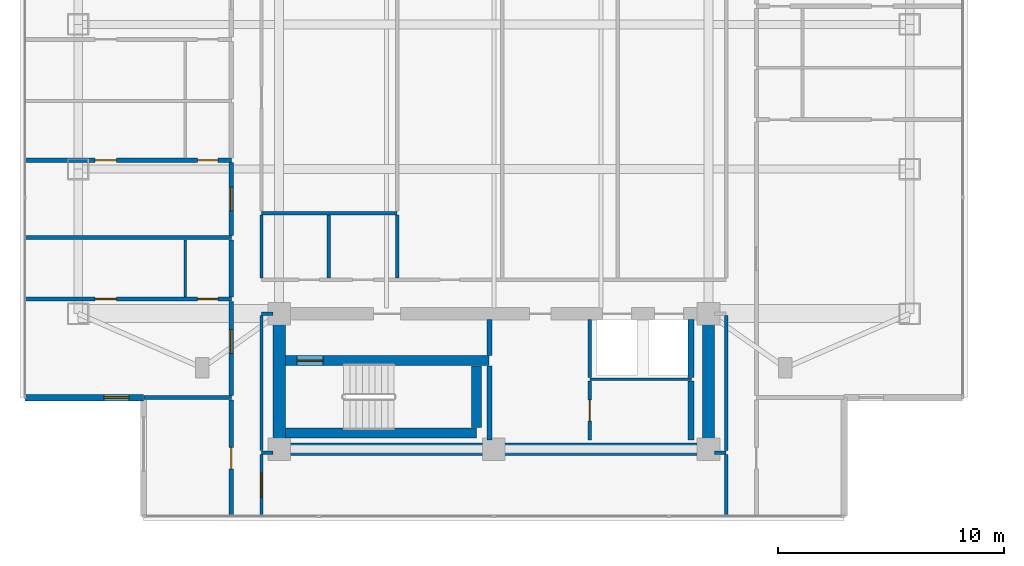
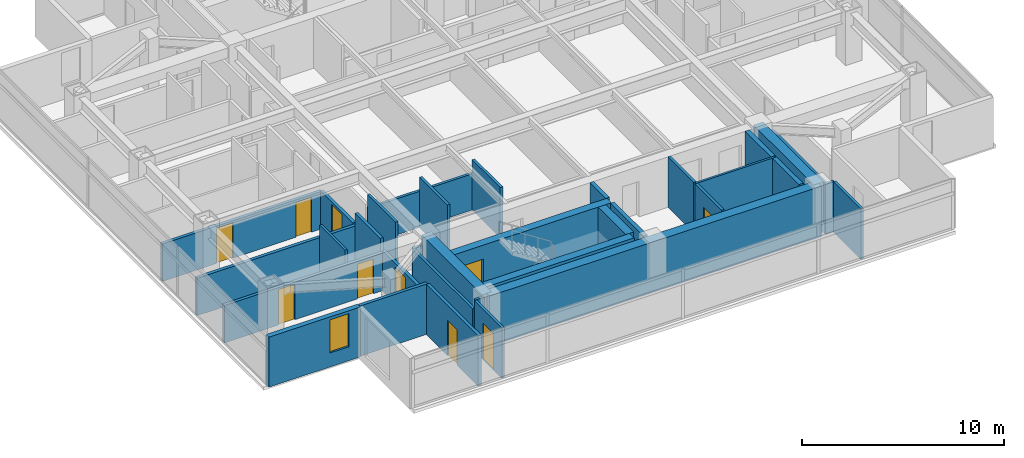
# One storey, part 12 of 24: 34 walls, 10 doors, 1 window, 11 openings.
"""IFC4 building model written with IfcOpenShell, lengths in metres."""

from ifc_helpers import new_model, si_unit, direction, frame, frame_2d, origin, place, context, subcontext, project, spatial, rectangle, extrude, material, layer, layer_set, type_object, element, fill, save


model = new_model("IFC4")

# Units and contexts
model_context = context("Model", 3, precision=1e-05, world=origin(), true_north=direction((0.0, 1.0)))
body_context = subcontext(model_context, "Body", "Model", "MODEL_VIEW")
ifc_project = project(units=[si_unit("LENGTHUNIT", "METRE"), si_unit("AREAUNIT", "SQUARE_METRE"), si_unit("VOLUMEUNIT", "CUBIC_METRE"), si_unit("PLANEANGLEUNIT", "RADIAN"), si_unit("MASSUNIT", "GRAM", prefix="KILO")], contexts=[model_context])

# Site, building, storey
site_placement = place(None, origin())
site = spatial("IfcSite", under=ifc_project, at=site_placement, CompositionType="ELEMENT")
building_placement = place(site_placement, origin())
building = spatial("IfcBuilding", under=site, at=building_placement, Name="Mirazonda Arch Towers", CompositionType="ELEMENT")
storey_placement = place(building_placement, frame((0.0, 0.0, 167.39990234375)))
storey = spatial("IfcBuildingStorey", under=building, at=storey_placement, Name="L47", CompositionType="ELEMENT", Elevation=167.39990234375)

# Wall
ifc_material_1 = material(Name="Concrete C50/60", Category="concrete")
ifc_layer_1 = layer(ifc_material_1, 0.449951171875, Name="WALL-CORE-450")
ifc_layer_set_1 = layer_set([ifc_layer_1], Name="Concrete C50/60")
wall_type_1 = type_object("IfcWallType", Name="WALL-CORE-450", PredefinedType="SHEAR", material=ifc_layer_set_1)
wall_1_placement = place(storey_placement, frame((11.27001953125, 13.1201171875, 0.0), z_axis=(0.0, 0.0, 1.0), x_axis=(1.0, 0.0, 0.0)))
element("IfcWall", 1, at=wall_1_placement, inside=storey, type_object=wall_type_1, Name="L47 Stair Core Shear Wall 003", PredefinedType="SHEAR", context=body_context, shape_type="SweptSolid", body=[
    extrude(rectangle(XDim=8.4599609375, YDim=0.449951171875, at=frame_2d((4.22998046875, 0.0))), origin(), (0.0, 0.0, 1.0), 3.050048828125),
])

# Wall, opening, door
wall_2_placement = place(storey_placement, frame((11.27001953125, 16.320068359375, 0.0), z_axis=(0.0, 0.0, 1.0), x_axis=(1.0, 0.0, 0.0)))
wall_2 = element("IfcWall", 2, at=wall_2_placement, inside=storey, type_object=wall_type_1, Name="L47 Stair Core Shear Wall 007", PredefinedType="SHEAR", context=body_context, shape_type="SweptSolid", body=[
    extrude(rectangle(XDim=9.010009765625, YDim=0.449951171875, at=frame_2d((4.5048828125, 0.0))), origin(), (0.0, 0.0, 1.0), 3.050048828125),
])
opening_1_placement = place(wall_2_placement, frame((0.52001953125, 0.0, 0.0)))
opening_1 = element("IfcOpeningElement", 3, at=opening_1_placement, cuts=wall_2, Name="Opening DR-135", PredefinedType="OPENING", context=body_context, shape_type="SweptSolid", body=[
    extrude(rectangle(XDim=1.14990234375, YDim=2.199951171875, at=frame_2d((0.574951171875, 1.10009765625))), frame((0.0, 0.23486328125, 0.0), z_axis=(0.0, -1.0, 0.0), x_axis=(1.0, 0.0, 0.0)), (0.0, 0.0, 1.0), 0.469970703125),
])
ifc_material_2 = material(Name="Architectural Brushed Steel S355", Category="steel")
door_type_1 = type_object("IfcDoorType", Name="DOOR-STAIR-FD90-1150", OperationType="NOTDEFINED", PredefinedType="DOOR", material=ifc_material_2)
door_1_placement = place(opening_1_placement, origin())
door_1 = element("IfcDoor", 4, at=door_1_placement, inside=storey, type_object=door_type_1, Name="L47 Protected Exit Stair South Door", OperationType="SINGLE_SWING_RIGHT", OverallHeight=2.199951171875, OverallWidth=1.14990234375, PredefinedType="DOOR", context=body_context, shape_type="SweptSolid", body=[
    extrude(rectangle(XDim=1.14990234375, YDim=2.199951171875, at=frame_2d((0.574951171875, 1.10009765625))), frame((0.0, 0.02490234375, 0.0), z_axis=(0.0, -1.0, 0.0), x_axis=(1.0, 0.0, 0.0)), (0.0, 0.0, 1.0), 0.050048828125),
])
fill(opening_1, door_1)

# Walls
wall_3_placement = place(storey_placement, frame((19.72998046875, 13.35498046875, 0.0), z_axis=(0.0, 0.0, 1.0), x_axis=(0.0, 1.0, 0.0)))
element("IfcWall", 5, at=wall_3_placement, inside=storey, type_object=wall_type_1, Name="L47 Stair Core Shear Wall 087", PredefinedType="SHEAR", context=body_context, shape_type="SweptSolid", body=[
    extrude(rectangle(XDim=2.72998046875, YDim=0.449951171875, at=frame_2d((1.364990234375, 0.0))), origin(), (0.0, 0.0, 1.0), 3.050048828125),
])
ifc_layer_2 = layer(ifc_material_1, 0.550048828125, Name="WALL-CORE-550")
ifc_layer_set_2 = layer_set([ifc_layer_2], Name="Concrete C50/60")
wall_type_2 = type_object("IfcWallType", Name="WALL-CORE-550", PredefinedType="SHEAR", material=ifc_layer_set_2)
wall_4_placement = place(storey_placement, frame((11.0, 12.39990234375, 0.0), z_axis=(0.0, 0.0, 1.0), x_axis=(1.0, 0.0, 0.0)))
element("IfcWall", 6, at=wall_4_placement, inside=storey, type_object=wall_type_2, Name="L47 T1S-S Core Shear Wall", PredefinedType="SHEAR", context=body_context, shape_type="SweptSolid", body=[
    extrude(rectangle(XDim=19.0, YDim=0.550048828125, at=frame_2d((9.5, 0.0))), origin(), (0.0, 0.0, 1.0), 3.050048828125),
])
for number, where, z_axis, x_axis, name in (
    (7, (11.0, 12.39990234375, 0.0), (0.0, 0.0, 1.0), (0.0, 1.0, 0.0), "L47 T1S-W Core Shear Wall"),
    (8, (30.0, 12.39990234375, 0.0), (0.0, 0.0, 1.0), (0.0, 1.0, 0.0), "L47 T1S-E Core Shear Wall"),
):
    element("IfcWall", number, at=place(storey_placement, frame(where, z_axis=z_axis, x_axis=x_axis)), inside=storey, type_object=wall_type_2, Name=name, PredefinedType="SHEAR", context=body_context, shape_type="SweptSolid", body=[
        extrude(rectangle(XDim=6.0, YDim=0.550048828125, at=frame_2d((3.0, 0.0))), origin(), (0.0, 0.0, 1.0), 3.050048828125),
    ])

# Wall, opening, window
ifc_material_3 = material(Name="Precast Concrete C40/50", Category="concrete")
ifc_layer_3 = layer(ifc_material_3, 0.280029296875, Name="WALL-EXT-WALL-280")
ifc_layer_set_3 = layer_set([ifc_layer_3], Name="Precast Concrete C40/50")
wall_type_3 = type_object("IfcWallType", Name="WALL-EXT-WALL-280", PredefinedType="SOLIDWALL", material=ifc_layer_set_3)
wall_5_placement = place(storey_placement, frame((-0.25, 14.68310546875, 0.0), z_axis=(0.0, 0.0, 1.0), x_axis=(1.0, 0.0, 0.0)))
wall_5 = element("IfcWall", 9, at=wall_5_placement, inside=storey, type_object=wall_type_3, Name="L47 T1 Corner Notch Return Wall WL-L47-T1-CSW2", PredefinedType="SOLIDWALL", context=body_context, shape_type="SweptSolid", body=[
    extrude(rectangle(XDim=5.2451171875, YDim=0.280029296875, at=frame_2d((2.62255859375, 0.0))), origin(), (0.0, 0.0, 1.0), 3.030029296875),
])
opening_2_placement = place(wall_5_placement, frame((3.4951171875, 0.0, 0.85009765625)))
opening_2 = element("IfcOpeningElement", 10, at=opening_2_placement, cuts=wall_5, Name="Opening WN-108", PredefinedType="OPENING", context=body_context, shape_type="SweptSolid", body=[
    extrude(rectangle(XDim=1.10009765625, YDim=2.0, at=frame_2d((0.550048828125, 1.0))), frame((0.0, 0.14990234375, 0.0), z_axis=(0.0, -1.0, 0.0), x_axis=(1.0, 0.0, 0.0)), (0.0, 0.0, 1.0), 0.300048828125),
])
ifc_material_4 = material(Name="Insulated Low-E Solar Glass", Category="glass")
window_type = type_object("IfcWindowType", Name="WIN-NOTCH-1100x2000", PartitioningType="SINGLE_PANEL", PredefinedType="WINDOW", material=ifc_material_4)
window_placement = place(opening_2_placement, origin())
window = element("IfcWindow", 11, at=window_placement, inside=storey, type_object=window_type, Name="L47 Punched Facade Window WN-L47-T1-CSW2", OverallHeight=2.0, OverallWidth=1.10009765625, PartitioningType="SINGLE_PANEL", PredefinedType="WINDOW", context=body_context, shape_type="SweptSolid", body=[
    extrude(rectangle(XDim=1.10009765625, YDim=2.0, at=frame_2d((0.550048828125, 1.0))), frame((0.0, 0.030029296875, 0.0), z_axis=(0.0, -1.0, 0.0), x_axis=(1.0, 0.0, 0.0)), (0.0, 0.0, 1.0), 0.06005859375),
])
fill(opening_2, window)

# Walls
ifc_material_5 = material(Name="Concrete C40/50", Category="concrete")
ifc_layer_4 = layer(ifc_material_5, 0.219970703125, Name="WALL-FFL-220")
ifc_layer_set_4 = layer_set([ifc_layer_4], Name="Concrete C40/50")
wall_type_4 = type_object("IfcWallType", Name="WALL-FFL-220", PredefinedType="SOLIDWALL", material=ifc_layer_set_4)
wall_6_placement = place(storey_placement, frame((20.31494140625, 12.800048828125, 0.0), z_axis=(0.0, 0.0, 1.0), x_axis=(0.0, 1.0, 0.0)))
element("IfcWall", 12, at=wall_6_placement, inside=storey, type_object=wall_type_4, Name="L47 Interior Partition 089", PredefinedType="SOLIDWALL", context=body_context, shape_type="SweptSolid", body=[
    extrude(rectangle(XDim=3.284912109375, YDim=0.219970703125, at=frame_2d((1.642578125, 0.0))), origin(), (0.0, 0.0, 1.0), 3.050048828125),
])
wall_7_placement = place(storey_placement, frame((20.31494140625, 16.554931640625, 0.0), z_axis=(0.0, 0.0, 1.0), x_axis=(0.0, 1.0, 0.0)))
element("IfcWall", 13, at=wall_7_placement, inside=storey, type_object=wall_type_4, Name="L47 Interior Partition 090", PredefinedType="SOLIDWALL", context=body_context, shape_type="SweptSolid", body=[
    extrude(rectangle(XDim=1.574951171875, YDim=0.219970703125, at=frame_2d((0.78759765625, 0.0))), origin(), (0.0, 0.0, 1.0), 3.050048828125),
])
ifc_material_6 = material(Name="Fire-Rated Gypsum Stud Partition")
ifc_layer_5 = layer(ifc_material_6, 0.14990234375, Name="WALL-PART-CORR-150")
ifc_layer_set_5 = layer_set([ifc_layer_5], Name="Fire-Rated Gypsum Stud Partition")
wall_type_5 = type_object("IfcWallType", Name="WALL-PART-CORR-150", PredefinedType="PARTITIONING", material=ifc_layer_set_5)
for number, where, z_axis, x_axis, name in (
    (14, (10.219970703125, 12.25, 0.0), (0.0, 0.0, 1.0), (1.0, 0.0, 0.0), "L47 Interior Partition 001"),
    (15, (30.27001953125, 12.25, 0.0), (0.0, 0.0, 1.0), (1.0, 0.0, 0.0), "L47 Interior Partition 002"),
):
    element("IfcWall", number, at=place(storey_placement, frame(where, z_axis=z_axis, x_axis=x_axis)), inside=storey, type_object=wall_type_5, Name=name, PredefinedType="PARTITIONING", context=body_context, shape_type="SweptSolid", body=[
        extrude(rectangle(XDim=0.510009765625, YDim=0.14990234375, at=frame_2d((0.2548828125, 0.0))), origin(), (0.0, 0.0, 1.0), 3.050048828125),
    ])
wall_8_placement = place(storey_placement, frame((10.219970703125, 18.39990234375, 0.0), z_axis=(0.0, 0.0, 1.0), x_axis=(1.0, 0.0, 0.0)))
element("IfcWall", 16, at=wall_8_placement, inside=storey, type_object=wall_type_5, Name="L47 Interior Partition 011", PredefinedType="PARTITIONING", context=body_context, shape_type="SweptSolid", body=[
    extrude(rectangle(XDim=0.510009765625, YDim=0.14990234375, at=frame_2d((0.2548828125, 0.0))), origin(), (0.0, 0.0, 1.0), 2.442138671875),
])
wall_9_placement = place(storey_placement, frame((10.219970703125, 22.85009765625, 0.0), z_axis=(0.0, 0.0, 1.0), x_axis=(1.0, 0.0, 0.0)))
element("IfcWall", 17, at=wall_9_placement, inside=storey, type_object=wall_type_5, Name="L47 Interior Partition 023", PredefinedType="PARTITIONING", context=body_context, shape_type="SweptSolid", body=[
    extrude(rectangle(XDim=6.0, YDim=0.14990234375, at=frame_2d((3.0, 0.0))), origin(), (0.0, 0.0, 1.0), 2.18603515625),
])

# Wall, opening, door
wall_10_placement = place(storey_placement, frame((10.219970703125, 9.43798828125, 0.0), z_axis=(0.0, 0.0, 1.0), x_axis=(0.0, 1.0, 0.0)))
wall_10 = element("IfcWall", 18, at=wall_10_placement, inside=storey, type_object=wall_type_5, Name="L47 Interior Partition 075", PredefinedType="PARTITIONING", context=body_context, shape_type="SweptSolid", body=[
    extrude(rectangle(XDim=2.72705078125, YDim=0.14990234375, at=frame_2d((1.363525390625, 0.0))), origin(), (0.0, 0.0, 1.0), 3.050048828125),
])
opening_3_placement = place(wall_10_placement, frame((0.83837890625, 0.0, 0.0)))
opening_3 = element("IfcOpeningElement", 19, at=opening_3_placement, cuts=wall_10, Name="Opening DR-121", PredefinedType="OPENING", context=body_context, shape_type="SweptSolid", body=[
    extrude(rectangle(XDim=1.050048828125, YDim=2.199951171875, at=frame_2d((0.52490234375, 1.10009765625))), frame((0.0, 0.0849609375, 0.0), z_axis=(0.0, -1.0, 0.0), x_axis=(1.0, 0.0, 0.0)), (0.0, 0.0, 1.0), 0.169921875),
])
door_type_2 = type_object("IfcDoorType", Name="DOOR-SUITE-FD60-1050", OperationType="NOTDEFINED", PredefinedType="DOOR", material=ifc_material_2)
door_2_placement = place(opening_3_placement, origin())
door_2 = element("IfcDoor", 20, at=door_2_placement, inside=storey, type_object=door_type_2, Name="L47 South Horizon Lounge Gallery Door", OperationType="SINGLE_SWING_LEFT", OverallHeight=2.199951171875, OverallWidth=1.050048828125, PredefinedType="DOOR", context=body_context, shape_type="SweptSolid", body=[
    extrude(rectangle(XDim=1.050048828125, YDim=2.199951171875, at=frame_2d((0.52490234375, 1.10009765625))), frame((0.0, 0.02490234375, 0.0), z_axis=(0.0, -1.0, 0.0), x_axis=(1.0, 0.0, 0.0)), (0.0, 0.0, 1.0), 0.050048828125),
])
fill(opening_3, door_2)

# Walls
wall_11_placement = place(storey_placement, frame((10.219970703125, 12.3349609375, 0.0), z_axis=(0.0, 0.0, 1.0), x_axis=(0.0, 1.0, 0.0)))
element("IfcWall", 21, at=wall_11_placement, inside=storey, type_object=wall_type_5, Name="L47 Interior Partition 076", PredefinedType="PARTITIONING", context=body_context, shape_type="SweptSolid", body=[
    extrude(rectangle(XDim=5.97998046875, YDim=0.14990234375, at=frame_2d((2.989990234375, 0.0))), origin(), (0.0, 0.0, 1.0), 2.442138671875),
])
for number, where, z_axis, x_axis, name in (
    (22, (10.219970703125, 19.985107421875, 0.0), (0.0, 0.0, 1.0), (0.0, 1.0, 0.0), "L47 Interior Partition 077"),
    (23, (13.199951171875, 19.985107421875, 0.0), (0.0, 0.0, 1.0), (0.0, 1.0, 0.0), "L47 Interior Partition 082"),
    (24, (16.219970703125, 19.985107421875, 0.0), (0.0, 0.0, 1.0), (0.0, 1.0, 0.0), "L47 Interior Partition 084"),
):
    element("IfcWall", number, at=place(storey_placement, frame(where, z_axis=z_axis, x_axis=x_axis)), inside=storey, type_object=wall_type_5, Name=name, PredefinedType="PARTITIONING", context=body_context, shape_type="SweptSolid", body=[
        extrude(rectangle(XDim=2.77978515625, YDim=0.14990234375, at=frame_2d((1.389892578125, 0.0))), origin(), (0.0, 0.0, 1.0), 3.050048828125),
    ])

# Wall, opening, door
wall_12_placement = place(storey_placement, frame((24.75, 12.800048828125, 0.0), z_axis=(0.0, 0.0, 1.0), x_axis=(0.0, 1.0, 0.0)))
wall_12 = element("IfcWall", 25, at=wall_12_placement, inside=storey, type_object=wall_type_5, Name="L47 Interior Partition 093", PredefinedType="PARTITIONING", context=body_context, shape_type="SweptSolid", body=[
    extrude(rectangle(XDim=2.62744140625, YDim=0.14990234375, at=frame_2d((1.313720703125, 0.0))), origin(), (0.0, 0.0, 1.0), 3.050048828125),
])
opening_4_placement = place(wall_12_placement, frame((0.838623046875, 0.0, 0.0)))
opening_4 = element("IfcOpeningElement", 26, at=opening_4_placement, cuts=wall_12, Name="Opening DR-104", PredefinedType="OPENING", context=body_context, shape_type="SweptSolid", body=[
    extrude(rectangle(XDim=0.949951171875, YDim=2.14990234375, at=frame_2d((0.47509765625, 1.074951171875))), frame((0.0, 0.0849609375, 0.0), z_axis=(0.0, -1.0, 0.0), x_axis=(1.0, 0.0, 0.0)), (0.0, 0.0, 1.0), 0.169921875),
])
door_type_3 = type_object("IfcDoorType", Name="DOOR-ROOM-950", OperationType="NOTDEFINED", PredefinedType="DOOR", material=ifc_material_2)
door_3_placement = place(opening_4_placement, origin())
door_3 = element("IfcDoor", 27, at=door_3_placement, inside=storey, type_object=door_type_3, Name="L47 Residents Private Archive Study Door", OperationType="SINGLE_SWING_RIGHT", OverallHeight=2.14990234375, OverallWidth=0.949951171875, PredefinedType="DOOR", context=body_context, shape_type="SweptSolid", body=[
    extrude(rectangle(XDim=0.949951171875, YDim=2.14990234375, at=frame_2d((0.47509765625, 1.074951171875))), frame((0.0, 0.02490234375, 0.0), z_axis=(0.0, -1.0, 0.0), x_axis=(1.0, 0.0, 0.0)), (0.0, 0.0, 1.0), 0.050048828125),
])
fill(opening_4, door_3)

# Walls
wall_13_placement = place(storey_placement, frame((24.75, 15.572509765625, 0.0), z_axis=(0.0, 0.0, 1.0), x_axis=(0.0, 1.0, 0.0)))
element("IfcWall", 28, at=wall_13_placement, inside=storey, type_object=wall_type_5, Name="L47 Interior Partition 094", PredefinedType="PARTITIONING", context=body_context, shape_type="SweptSolid", body=[
    extrude(rectangle(XDim=2.557373046875, YDim=0.14990234375, at=frame_2d((1.27880859375, 0.0))), origin(), (0.0, 0.0, 1.0), 3.050048828125),
])
wall_14_placement = place(storey_placement, frame((30.780029296875, 9.43798828125, 0.0), z_axis=(0.0, 0.0, 1.0), x_axis=(0.0, 1.0, 0.0)))
element("IfcWall", 29, at=wall_14_placement, inside=storey, type_object=wall_type_5, Name="L47 Interior Partition 103", PredefinedType="PARTITIONING", context=body_context, shape_type="SweptSolid", body=[
    extrude(rectangle(XDim=2.72705078125, YDim=0.14990234375, at=frame_2d((1.363525390625, 0.0))), origin(), (0.0, 0.0, 1.0), 3.050048828125),
])
wall_15_placement = place(storey_placement, frame((30.780029296875, 12.3349609375, 0.0), z_axis=(0.0, 0.0, 1.0), x_axis=(0.0, 1.0, 0.0)))
element("IfcWall", 30, at=wall_15_placement, inside=storey, type_object=wall_type_5, Name="L47 Interior Partition 104", PredefinedType="PARTITIONING", context=body_context, shape_type="SweptSolid", body=[
    extrude(rectangle(XDim=5.97998046875, YDim=0.14990234375, at=frame_2d((2.989990234375, 0.0))), origin(), (0.0, 0.0, 1.0), 2.442138671875),
])
ifc_material_7 = material(Name="Fire-Rated Gypsum Twin-Stud Assembly")
ifc_layer_6 = layer(ifc_material_7, 0.179931640625, Name="WALL-PART-DEMISE-180")
ifc_layer_set_6 = layer_set([ifc_layer_6], Name="Fire-Rated Gypsum Twin-Stud Assembly")
wall_type_6 = type_object("IfcWallType", Name="WALL-PART-DEMISE-180", PredefinedType="PARTITIONING", material=ifc_layer_set_6)
wall_16_placement = place(storey_placement, frame((5.014892578125, 14.68310546875, 0.0), z_axis=(0.0, 0.0, 1.0), x_axis=(1.0, 0.0, 0.0)))
element("IfcWall", 31, at=wall_16_placement, inside=storey, type_object=wall_type_6, Name="L47 Interior Partition 004", PredefinedType="PARTITIONING", context=body_context, shape_type="SweptSolid", body=[
    extrude(rectangle(XDim=3.864990234375, YDim=0.179931640625, at=frame_2d((1.9326171875, 0.0))), origin(), (0.0, 0.0, 1.0), 3.050048828125),
])

# Wall, openings, doors
wall_17_placement = place(storey_placement, frame((-0.25, 19.0458984375, 0.0), z_axis=(0.0, 0.0, 1.0), x_axis=(1.0, 0.0, 0.0)))
wall_17 = element("IfcWall", 32, at=wall_17_placement, inside=storey, type_object=wall_type_6, Name="L47 Interior Partition 014", PredefinedType="PARTITIONING", context=body_context, shape_type="SweptSolid", body=[
    extrude(rectangle(XDim=9.1298828125, YDim=0.179931640625, at=frame_2d((4.56494140625, 0.0))), origin(), (0.0, 0.0, 1.0), 2.26904296875),
])
opening_5_placement = place(wall_17_placement, frame((3.090087890625, 0.0, 0.0)))
opening_5 = element("IfcOpeningElement", 33, at=opening_5_placement, cuts=wall_17, Name="Opening DR-104", PredefinedType="OPENING", context=body_context, shape_type="SweptSolid", body=[
    extrude(rectangle(XDim=0.949951171875, YDim=2.14990234375, at=frame_2d((0.47509765625, 1.074951171875))), frame((0.0, 0.099853515625, 0.0), z_axis=(0.0, -1.0, 0.0), x_axis=(1.0, 0.0, 0.0)), (0.0, 0.0, 1.0), 0.199951171875),
])
opening_6_placement = place(wall_17_placement, frame((7.639892578125, 0.0, 0.0)))
opening_6 = element("IfcOpeningElement", 34, at=opening_6_placement, cuts=wall_17, Name="Opening DR-120", PredefinedType="OPENING", context=body_context, shape_type="SweptSolid", body=[
    extrude(rectangle(XDim=0.89990234375, YDim=2.10009765625, at=frame_2d((0.449951171875, 1.050048828125))), frame((0.0, 0.099853515625, 0.0), z_axis=(0.0, -1.0, 0.0), x_axis=(1.0, 0.0, 0.0)), (0.0, 0.0, 1.0), 0.199951171875),
])
door_4_placement = place(opening_5_placement, origin())
door_4 = element("IfcDoor", 35, at=door_4_placement, inside=storey, type_object=door_type_3, Name="L47 Guestroom Study 1 Door", OperationType="SINGLE_SWING_LEFT", OverallHeight=2.14990234375, OverallWidth=0.949951171875, PredefinedType="DOOR", context=body_context, shape_type="SweptSolid", body=[
    extrude(rectangle(XDim=0.949951171875, YDim=2.14990234375, at=frame_2d((0.47509765625, 1.074951171875))), frame((0.0, 0.02490234375, 0.0), z_axis=(0.0, -1.0, 0.0), x_axis=(1.0, 0.0, 0.0)), (0.0, 0.0, 1.0), 0.050048828125),
])
fill(opening_5, door_4)
door_type_4 = type_object("IfcDoorType", Name="DOOR-WC-900", OperationType="NOTDEFINED", PredefinedType="DOOR", material=ifc_material_2)
door_5_placement = place(opening_6_placement, origin())
door_5 = element("IfcDoor", 36, at=door_5_placement, inside=storey, type_object=door_type_4, Name="L47 En-Suite Bathroom 1 Door", OperationType="SINGLE_SWING_RIGHT", OverallHeight=2.10009765625, OverallWidth=0.89990234375, PredefinedType="DOOR", context=body_context, shape_type="SweptSolid", body=[
    extrude(rectangle(XDim=0.89990234375, YDim=2.10009765625, at=frame_2d((0.449951171875, 1.050048828125))), frame((0.0, 0.02490234375, 0.0), z_axis=(0.0, -1.0, 0.0), x_axis=(1.0, 0.0, 0.0)), (0.0, 0.0, 1.0), 0.050048828125),
])
fill(opening_6, door_5)

# Wall
wall_18_placement = place(storey_placement, frame((-0.25, 21.76611328125, 0.0), z_axis=(0.0, 0.0, 1.0), x_axis=(1.0, 0.0, 0.0)))
element("IfcWall", 37, at=wall_18_placement, inside=storey, type_object=wall_type_6, Name="L47 Interior Partition 020", PredefinedType="PARTITIONING", context=body_context, shape_type="SweptSolid", body=[
    extrude(rectangle(XDim=9.1298828125, YDim=0.179931640625, at=frame_2d((4.56494140625, 0.0))), origin(), (0.0, 0.0, 1.0), 2.26904296875),
])

# Wall, openings, doors
wall_19_placement = place(storey_placement, frame((-0.25, 25.18896484375, 0.0), z_axis=(0.0, 0.0, 1.0), x_axis=(1.0, 0.0, 0.0)))
wall_19 = element("IfcWall", 38, at=wall_19_placement, inside=storey, type_object=wall_type_6, Name="L47 Interior Partition 026", PredefinedType="PARTITIONING", context=body_context, shape_type="SweptSolid", body=[
    extrude(rectangle(XDim=9.1298828125, YDim=0.179931640625, at=frame_2d((4.56494140625, 0.0))), origin(), (0.0, 0.0, 1.0), 2.26904296875),
])
opening_7_placement = place(wall_19_placement, frame((3.090087890625, 0.0, 0.0)))
opening_7 = element("IfcOpeningElement", 39, at=opening_7_placement, cuts=wall_19, Name="Opening DR-104", PredefinedType="OPENING", context=body_context, shape_type="SweptSolid", body=[
    extrude(rectangle(XDim=0.949951171875, YDim=2.14990234375, at=frame_2d((0.47509765625, 1.074951171875))), frame((0.0, 0.099853515625, 0.0), z_axis=(0.0, -1.0, 0.0), x_axis=(1.0, 0.0, 0.0)), (0.0, 0.0, 1.0), 0.199951171875),
])
opening_8_placement = place(wall_19_placement, frame((7.639892578125, 0.0, 0.0)))
opening_8 = element("IfcOpeningElement", 40, at=opening_8_placement, cuts=wall_19, Name="Opening DR-120", PredefinedType="OPENING", context=body_context, shape_type="SweptSolid", body=[
    extrude(rectangle(XDim=0.89990234375, YDim=2.10009765625, at=frame_2d((0.449951171875, 1.050048828125))), frame((0.0, 0.099853515625, 0.0), z_axis=(0.0, -1.0, 0.0), x_axis=(1.0, 0.0, 0.0)), (0.0, 0.0, 1.0), 0.199951171875),
])
door_6_placement = place(opening_7_placement, origin())
door_6 = element("IfcDoor", 41, at=door_6_placement, inside=storey, type_object=door_type_3, Name="L47 Guestroom Study 2 Door", OperationType="SINGLE_SWING_RIGHT", OverallHeight=2.14990234375, OverallWidth=0.949951171875, PredefinedType="DOOR", context=body_context, shape_type="SweptSolid", body=[
    extrude(rectangle(XDim=0.949951171875, YDim=2.14990234375, at=frame_2d((0.47509765625, 1.074951171875))), frame((0.0, 0.02490234375, 0.0), z_axis=(0.0, -1.0, 0.0), x_axis=(1.0, 0.0, 0.0)), (0.0, 0.0, 1.0), 0.050048828125),
])
fill(opening_7, door_6)
door_7_placement = place(opening_8_placement, origin())
door_7 = element("IfcDoor", 42, at=door_7_placement, inside=storey, type_object=door_type_4, Name="L47 En-Suite Bathroom 2 Door", OperationType="SINGLE_SWING_LEFT", OverallHeight=2.10009765625, OverallWidth=0.89990234375, PredefinedType="DOOR", context=body_context, shape_type="SweptSolid", body=[
    extrude(rectangle(XDim=0.89990234375, YDim=2.10009765625, at=frame_2d((0.449951171875, 1.050048828125))), frame((0.0, 0.02490234375, 0.0), z_axis=(0.0, -1.0, 0.0), x_axis=(1.0, 0.0, 0.0)), (0.0, 0.0, 1.0), 0.050048828125),
])
fill(opening_8, door_7)

# Wall, opening, door
wall_20_placement = place(storey_placement, frame((8.8798828125, 9.43798828125, 0.0), z_axis=(0.0, 0.0, 1.0), x_axis=(0.0, 1.0, 0.0)))
wall_20 = element("IfcWall", 43, at=wall_20_placement, inside=storey, type_object=wall_type_6, Name="L47 Interior Partition 065", PredefinedType="PARTITIONING", context=body_context, shape_type="SweptSolid", body=[
    extrude(rectangle(XDim=5.14501953125, YDim=0.179931640625, at=frame_2d((2.572509765625, 0.0))), origin(), (0.0, 0.0, 1.0), 3.050048828125),
])
opening_9_placement = place(wall_20_placement, frame((2.097412109375, 0.0, 0.0)))
opening_9 = element("IfcOpeningElement", 44, at=opening_9_placement, cuts=wall_20, Name="Opening DR-104", PredefinedType="OPENING", context=body_context, shape_type="SweptSolid", body=[
    extrude(rectangle(XDim=0.949951171875, YDim=2.14990234375, at=frame_2d((0.47509765625, 1.074951171875))), frame((0.0, 0.099853515625, 0.0), z_axis=(0.0, -1.0, 0.0), x_axis=(1.0, 0.0, 0.0)), (0.0, 0.0, 1.0), 0.199951171875),
])
door_8_placement = place(opening_9_placement, origin())
door_8 = element("IfcDoor", 45, at=door_8_placement, inside=storey, type_object=door_type_3, Name="L47 South Horizon Lounge Alcove West Door", OperationType="SINGLE_SWING_RIGHT", OverallHeight=2.14990234375, OverallWidth=0.949951171875, PredefinedType="DOOR", context=body_context, shape_type="SweptSolid", body=[
    extrude(rectangle(XDim=0.949951171875, YDim=2.14990234375, at=frame_2d((0.47509765625, 1.074951171875))), frame((0.0, 0.02490234375, 0.0), z_axis=(0.0, -1.0, 0.0), x_axis=(1.0, 0.0, 0.0)), (0.0, 0.0, 1.0), 0.050048828125),
])
fill(opening_9, door_8)

wall_21_placement = place(storey_placement, frame((8.8798828125, 14.782958984375, 0.0), z_axis=(0.0, 0.0, 1.0), x_axis=(0.0, 1.0, 0.0)))
wall_21 = element("IfcWall", 46, at=wall_21_placement, inside=storey, type_object=wall_type_6, Name="L47 Interior Partition 066", PredefinedType="PARTITIONING", context=body_context, shape_type="SweptSolid", body=[
    extrude(rectangle(XDim=4.1630859375, YDim=0.179931640625, at=frame_2d((2.08154296875, 0.0))), origin(), (0.0, 0.0, 1.0), 2.442138671875),
])
opening_10_placement = place(wall_21_placement, frame((1.8564453125, 0.0, 0.0)))
opening_10 = element("IfcOpeningElement", 47, at=opening_10_placement, cuts=wall_21, Name="Opening DR-121", PredefinedType="OPENING", context=body_context, shape_type="SweptSolid", body=[
    extrude(rectangle(XDim=1.050048828125, YDim=2.199951171875, at=frame_2d((0.52490234375, 1.10009765625))), frame((0.0, 0.099853515625, 0.0), z_axis=(0.0, -1.0, 0.0), x_axis=(1.0, 0.0, 0.0)), (0.0, 0.0, 1.0), 0.199951171875),
])
door_9_placement = place(opening_10_placement, origin())
door_9 = element("IfcDoor", 48, at=door_9_placement, inside=storey, type_object=door_type_2, Name="L47 King Hotel Guestroom 1 Door", OperationType="SINGLE_SWING_RIGHT", OverallHeight=2.199951171875, OverallWidth=1.050048828125, PredefinedType="DOOR", context=body_context, shape_type="SweptSolid", body=[
    extrude(rectangle(XDim=1.050048828125, YDim=2.199951171875, at=frame_2d((0.52490234375, 1.10009765625))), frame((0.0, 0.02490234375, 0.0), z_axis=(0.0, -1.0, 0.0), x_axis=(1.0, 0.0, 0.0)), (0.0, 0.0, 1.0), 0.050048828125),
])
fill(opening_10, door_9)

# Wall
wall_22_placement = place(storey_placement, frame((8.8798828125, 19.14599609375, 0.0), z_axis=(0.0, 0.0, 1.0), x_axis=(0.0, 1.0, 0.0)))
element("IfcWall", 49, at=wall_22_placement, inside=storey, type_object=wall_type_6, Name="L47 Interior Partition 067", PredefinedType="PARTITIONING", context=body_context, shape_type="SweptSolid", body=[
    extrude(rectangle(XDim=2.52001953125, YDim=0.179931640625, at=frame_2d((1.260009765625, 0.0))), origin(), (0.0, 0.0, 1.0), 3.050048828125),
])

# Wall, opening, door
wall_23_placement = place(storey_placement, frame((8.8798828125, 21.865966796875, 0.0), z_axis=(0.0, 0.0, 1.0), x_axis=(0.0, 1.0, 0.0)))
wall_23 = element("IfcWall", 50, at=wall_23_placement, inside=storey, type_object=wall_type_6, Name="L47 Interior Partition 068", PredefinedType="PARTITIONING", context=body_context, shape_type="SweptSolid", body=[
    extrude(rectangle(XDim=3.22314453125, YDim=0.179931640625, at=frame_2d((1.611572265625, 0.0))), origin(), (0.0, 0.0, 1.0), 2.34619140625),
])
opening_11_placement = place(wall_23_placement, frame((1.08642578125, 0.0, 0.0)))
opening_11 = element("IfcOpeningElement", 51, at=opening_11_placement, cuts=wall_23, Name="Opening DR-121", PredefinedType="OPENING", context=body_context, shape_type="SweptSolid", body=[
    extrude(rectangle(XDim=1.050048828125, YDim=2.199951171875, at=frame_2d((0.52490234375, 1.10009765625))), frame((0.0, 0.099853515625, 0.0), z_axis=(0.0, -1.0, 0.0), x_axis=(1.0, 0.0, 0.0)), (0.0, 0.0, 1.0), 0.199951171875),
])
door_10_placement = place(opening_11_placement, origin())
door_10 = element("IfcDoor", 52, at=door_10_placement, inside=storey, type_object=door_type_2, Name="L47 Twin Hotel Guestroom 2 Door", OperationType="SINGLE_SWING_LEFT", OverallHeight=2.199951171875, OverallWidth=1.050048828125, PredefinedType="DOOR", context=body_context, shape_type="SweptSolid", body=[
    extrude(rectangle(XDim=1.050048828125, YDim=2.199951171875, at=frame_2d((0.52490234375, 1.10009765625))), frame((0.0, 0.02490234375, 0.0), z_axis=(0.0, -1.0, 0.0), x_axis=(1.0, 0.0, 0.0)), (0.0, 0.0, 1.0), 0.050048828125),
])
fill(opening_11, door_10)

# Walls
ifc_material_8 = material(Name="Acoustic Fire-Rated Gypsum Partition")
ifc_layer_7 = layer(ifc_material_8, 0.125, Name="WALL-PART-UNIT-125")
ifc_layer_set_7 = layer_set([ifc_layer_7], Name="Acoustic Fire-Rated Gypsum Partition")
wall_type_7 = type_object("IfcWallType", Name="WALL-PART-UNIT-125", PredefinedType="PARTITIONING", material=ifc_layer_set_7)
wall_24_placement = place(storey_placement, frame((24.75, 15.5, 0.0), z_axis=(0.0, 0.0, 1.0), x_axis=(1.0, 0.0, 0.0)))
element("IfcWall", 53, at=wall_24_placement, inside=storey, type_object=wall_type_7, Name="L47 Interior Partition 006", PredefinedType="PARTITIONING", context=body_context, shape_type="SweptSolid", body=[
    extrude(rectangle(XDim=4.5, YDim=0.125, at=frame_2d((2.25, 0.0))), origin(), (0.0, 0.0, 1.0), 3.050048828125),
])
wall_25_placement = place(storey_placement, frame((6.840087890625, 19.14599609375, 0.0), z_axis=(0.0, 0.0, 1.0), x_axis=(0.0, 1.0, 0.0)))
element("IfcWall", 54, at=wall_25_placement, inside=storey, type_object=wall_type_7, Name="L47 Interior Partition 061", PredefinedType="PARTITIONING", context=body_context, shape_type="SweptSolid", body=[
    extrude(rectangle(XDim=2.52001953125, YDim=0.125, at=frame_2d((1.260009765625, 0.0))), origin(), (0.0, 0.0, 1.0), 3.050048828125),
])
ifc_layer_8 = layer(ifc_material_5, 0.25, Name="WALL-SHAFT-250")
ifc_layer_set_8 = layer_set([ifc_layer_8], Name="Concrete C40/50")
wall_type_8 = type_object("IfcWallType", Name="WALL-SHAFT-250", PredefinedType="SOLIDWALL", material=ifc_layer_set_8)
wall_26_placement = place(storey_placement, frame((29.22509765625, 12.800048828125, 0.0), z_axis=(0.0, 0.0, 1.0), x_axis=(0.0, 1.0, 0.0)))
element("IfcWall", 55, at=wall_26_placement, inside=storey, type_object=wall_type_8, Name="L47 Interior Partition 099", PredefinedType="SOLIDWALL", context=body_context, shape_type="SweptSolid", body=[
    extrude(rectangle(XDim=2.62744140625, YDim=0.25, at=frame_2d((1.313720703125, 0.0))), origin(), (0.0, 0.0, 1.0), 3.050048828125),
])
wall_27_placement = place(storey_placement, frame((29.22509765625, 15.572509765625, 0.0), z_axis=(0.0, 0.0, 1.0), x_axis=(0.0, 1.0, 0.0)))
element("IfcWall", 56, at=wall_27_placement, inside=storey, type_object=wall_type_8, Name="L47 Interior Partition 100", PredefinedType="SOLIDWALL", context=body_context, shape_type="SweptSolid", body=[
    extrude(rectangle(XDim=2.557373046875, YDim=0.25, at=frame_2d((1.27880859375, 0.0))), origin(), (0.0, 0.0, 1.0), 3.050048828125),
])

save(model, "model.ifc")
